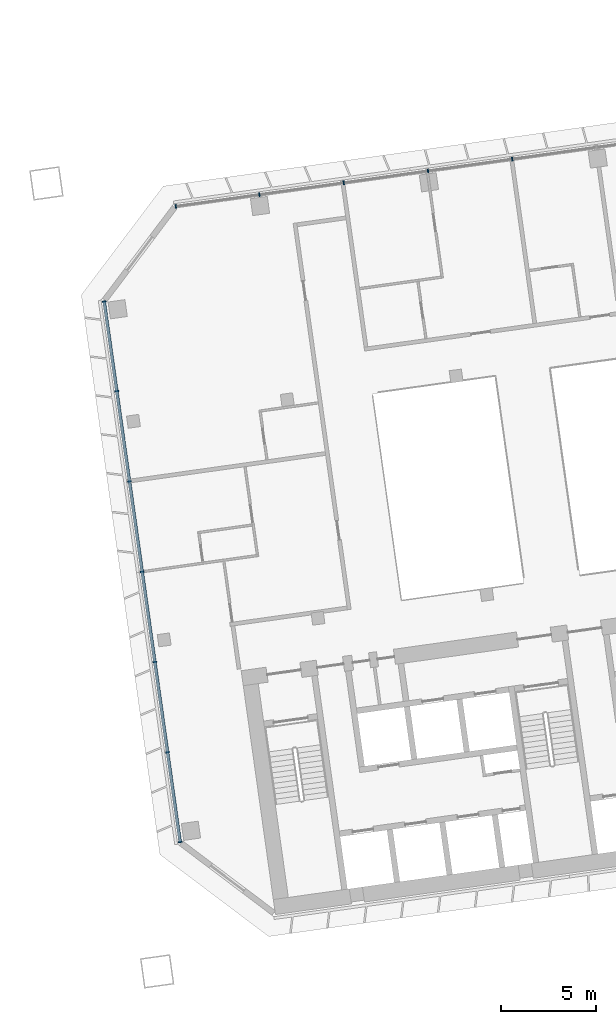
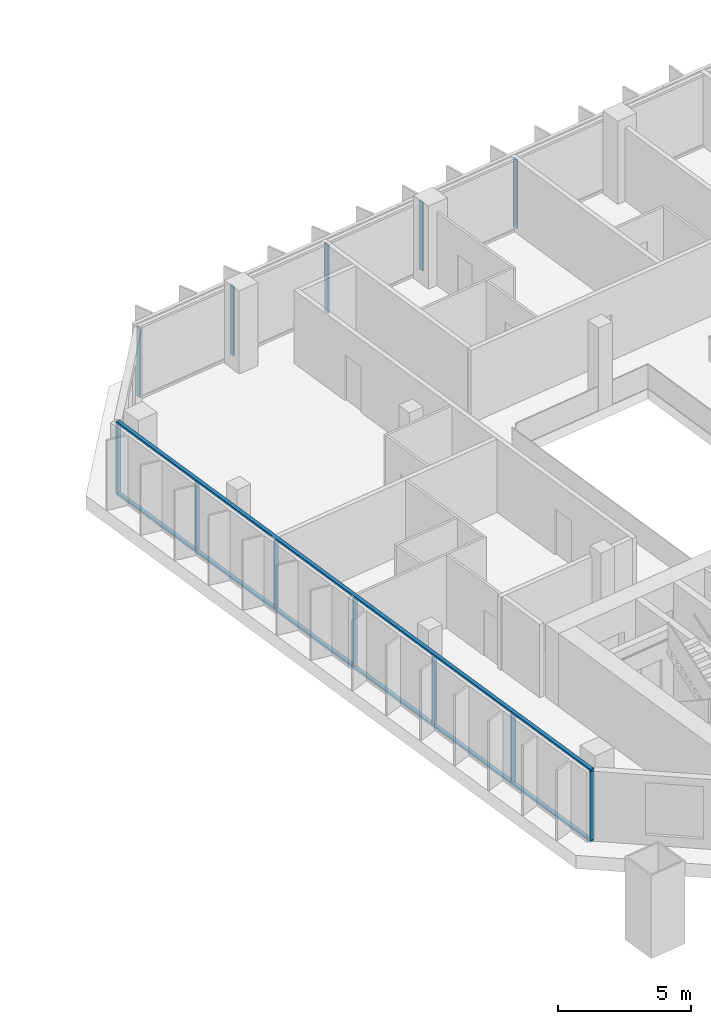
# One storey, part 7 of 25: 14 members, 2 elements without a shape of their own.
"""IFC4 building model written with IfcOpenShell, lengths in metres."""

from ifc_helpers import new_model, si_unit, direction, frame, origin, origin_2d, place, context, subcontext, project, spatial, rectangle, extrude, material, material_profile, profile_set, type_object, element, aggregate, save


model = new_model("IFC4")

# Units and contexts
model_context = context("Model", 3, precision=1e-05, world=origin(), true_north=direction((0.0, 1.0)))
body_context = subcontext(model_context, "Body", "Model", "MODEL_VIEW")
ifc_project = project(units=[si_unit("LENGTHUNIT", "METRE"), si_unit("AREAUNIT", "SQUARE_METRE"), si_unit("VOLUMEUNIT", "CUBIC_METRE"), si_unit("PLANEANGLEUNIT", "RADIAN"), si_unit("MASSUNIT", "GRAM", prefix="KILO")], contexts=[model_context])

# Site, building, storey
site_placement = place(None, origin())
site = spatial("IfcSite", under=ifc_project, at=site_placement, CompositionType="ELEMENT")
building_placement = place(site_placement, origin())
building = spatial("IfcBuilding", under=site, at=building_placement, Name="Mirante Cascada Hotel Towers", CompositionType="ELEMENT")
storey_placement = place(building_placement, frame((0.0, 0.0, 136.7)))
storey = spatial("IfcBuildingStorey", under=building, at=storey_placement, Name="L31", CompositionType="ELEMENT", Elevation=136.7)

# Curtain wall, members
ifc_material_1 = material(Name="Aluminium mullion and transom frame with clear laminated glass", Category="aluminium")
curtain_wall_type_1 = type_object("IfcCurtainWallType", Name="Ribbon curtain wall ECW1", PredefinedType="NOTDEFINED", material=ifc_material_1)
curtain_wall_1_placement = place(storey_placement, origin())
curtain_wall_1 = element("IfcCurtainWall", 1, at=curtain_wall_1_placement, inside=storey, type_object=curtain_wall_type_1, Name="Front ribbon wall T2 L31", PredefinedType="NOTDEFINED")
ifc_material_2 = material(Name="Anodised aluminium extrusion", Category="aluminium")
ifc_material_profile_1 = material_profile(ifc_material_2, rectangle(XDim=0.2, YDim=0.065, at=origin_2d()), Name="ECW1 MULLION 65x200")
ifc_profile_set_1 = profile_set([ifc_material_profile_1], Name="Anodised aluminium extrusion")
member_type_1 = type_object("IfcMemberType", Name="ECW1 mullion 65x200", PredefinedType="MULLION", material=ifc_profile_set_1)
member_1_placement = place(storey_placement, frame((49.684, 19.8017, 0.1), z_axis=(0.0, 0.0, 1.0), x_axis=(0.1391731, -0.9902681, 0.0)))
member_1 = element("IfcMember", 2, at=member_1_placement, type_object=member_type_1, Name="ECW1 mullion 11", PredefinedType="MULLION", context=body_context, shape_type="SweptSolid", body=[
    extrude(rectangle(XDim=0.2, YDim=0.065, at=origin_2d()), origin(), (0.0, 0.0, 1.0), 3.15),
])
member_2_placement = place(storey_placement, frame((45.2366, 19.1766, 0.1), z_axis=(0.0, 0.0, 1.0), x_axis=(0.1391731, -0.9902681, 0.0)))
member_2 = element("IfcMember", 3, at=member_2_placement, type_object=member_type_1, Name="ECW1 mullion 12", PredefinedType="MULLION", context=body_context, shape_type="SweptSolid", body=[
    extrude(rectangle(XDim=0.2, YDim=0.065, at=origin_2d()), origin(), (0.0, 0.0, 1.0), 3.15),
])
member_3_placement = place(storey_placement, frame((40.7892, 18.5516, 0.1), z_axis=(0.0, 0.0, 1.0), x_axis=(0.1391731, -0.9902681, 0.0)))
member_3 = element("IfcMember", 4, at=member_3_placement, type_object=member_type_1, Name="ECW1 mullion 13", PredefinedType="MULLION", context=body_context, shape_type="SweptSolid", body=[
    extrude(rectangle(XDim=0.2, YDim=0.065, at=origin_2d()), origin(), (0.0, 0.0, 1.0), 3.15),
])
member_4_placement = place(storey_placement, frame((36.3417, 17.9265, 0.1), z_axis=(0.0, 0.0, 1.0), x_axis=(0.1391731, -0.9902681, 0.0)))
member_4 = element("IfcMember", 5, at=member_4_placement, type_object=member_type_1, Name="ECW1 mullion 14", PredefinedType="MULLION", context=body_context, shape_type="SweptSolid", body=[
    extrude(rectangle(XDim=0.2, YDim=0.065, at=origin_2d()), origin(), (0.0, 0.0, 1.0), 3.15),
])
member_5_placement = place(storey_placement, frame((31.9265, 17.306, 0.1), z_axis=(0.0, 0.0, 1.0), x_axis=(0.1391731, -0.9902681, 0.0)))
member_5 = element("IfcMember", 6, at=member_5_placement, type_object=member_type_1, Name="ECW1 mullion 15", PredefinedType="MULLION", context=body_context, shape_type="SweptSolid", body=[
    extrude(rectangle(XDim=0.2, YDim=0.065, at=origin_2d()), origin(), (0.0, 0.0, 1.0), 3.15),
])
aggregate(curtain_wall_1, [member_1, member_2, member_3, member_4, member_5])

ifc_material_3 = material(Name="Aluminium mullion and transom frame with clear laminated glass", Category="aluminium")
curtain_wall_type_2 = type_object("IfcCurtainWallType", Name="End ribbon curtain wall ECW2", PredefinedType="NOTDEFINED", material=ifc_material_3)
curtain_wall_2_placement = place(storey_placement, origin())
curtain_wall_2 = element("IfcCurtainWall", 7, at=curtain_wall_2_placement, inside=storey, type_object=curtain_wall_type_2, Name="Inner end wall T2 L31", PredefinedType="NOTDEFINED")
ifc_material_4 = material(Name="Anodised aluminium extrusion", Category="aluminium")
ifc_material_profile_2 = material_profile(ifc_material_4, rectangle(XDim=0.2, YDim=0.065, at=origin_2d()), Name="ECW2 MULLION 65x200")
ifc_profile_set_2 = profile_set([ifc_material_profile_2], Name="Anodised aluminium extrusion")
member_type_2 = type_object("IfcMemberType", Name="ECW2 mullion 65x200", PredefinedType="MULLION", material=ifc_profile_set_2)
member_6_placement = place(storey_placement, frame((28.1437, 12.2861, 0.1), z_axis=(0.0, 0.0, 1.0), x_axis=(0.9902681, 0.1391731, 0.0)))
member_6 = element("IfcMember", 8, at=member_6_placement, type_object=member_type_2, Name="ECW2 mullion 1", PredefinedType="MULLION", context=body_context, shape_type="SweptSolid", body=[
    extrude(rectangle(XDim=0.2, YDim=0.065, at=origin_2d()), origin(), (0.0, 0.0, 1.0), 3.15),
])
member_7_placement = place(storey_placement, frame((28.809, 7.5524, 0.1), z_axis=(0.0, 0.0, 1.0), x_axis=(0.9902681, 0.1391731, 0.0)))
member_7 = element("IfcMember", 9, at=member_7_placement, type_object=member_type_2, Name="ECW2 mullion 2", PredefinedType="MULLION", context=body_context, shape_type="SweptSolid", body=[
    extrude(rectangle(XDim=0.2, YDim=0.065, at=origin_2d()), origin(), (0.0, 0.0, 1.0), 3.15),
])
member_8_placement = place(storey_placement, frame((29.4788, 2.7867, 0.1), z_axis=(0.0, 0.0, 1.0), x_axis=(0.9902681, 0.1391731, 0.0)))
member_8 = element("IfcMember", 10, at=member_8_placement, type_object=member_type_2, Name="ECW2 mullion 3", PredefinedType="MULLION", context=body_context, shape_type="SweptSolid", body=[
    extrude(rectangle(XDim=0.2, YDim=0.065, at=origin_2d()), origin(), (0.0, 0.0, 1.0), 3.15),
])
member_9_placement = place(storey_placement, frame((30.1485, -1.9791, 0.1), z_axis=(0.0, 0.0, 1.0), x_axis=(0.9902681, 0.1391731, 0.0)))
member_9 = element("IfcMember", 11, at=member_9_placement, type_object=member_type_2, Name="ECW2 mullion 4", PredefinedType="MULLION", context=body_context, shape_type="SweptSolid", body=[
    extrude(rectangle(XDim=0.2, YDim=0.065, at=origin_2d()), origin(), (0.0, 0.0, 1.0), 3.15),
])
member_10_placement = place(storey_placement, frame((30.8183, -6.7449, 0.1), z_axis=(0.0, 0.0, 1.0), x_axis=(0.9902681, 0.1391731, 0.0)))
member_10 = element("IfcMember", 12, at=member_10_placement, type_object=member_type_2, Name="ECW2 mullion 5", PredefinedType="MULLION", context=body_context, shape_type="SweptSolid", body=[
    extrude(rectangle(XDim=0.2, YDim=0.065, at=origin_2d()), origin(), (0.0, 0.0, 1.0), 3.15),
])
member_11_placement = place(storey_placement, frame((31.4881, -11.5107, 0.1), z_axis=(0.0, 0.0, 1.0), x_axis=(0.9902681, 0.1391731, 0.0)))
member_11 = element("IfcMember", 13, at=member_11_placement, type_object=member_type_2, Name="ECW2 mullion 6", PredefinedType="MULLION", context=body_context, shape_type="SweptSolid", body=[
    extrude(rectangle(XDim=0.2, YDim=0.065, at=origin_2d()), origin(), (0.0, 0.0, 1.0), 3.15),
])
member_12_placement = place(storey_placement, frame((32.1534, -16.2443, 0.1), z_axis=(0.0, 0.0, 1.0), x_axis=(0.9902681, 0.1391731, 0.0)))
member_12 = element("IfcMember", 14, at=member_12_placement, type_object=member_type_2, Name="ECW2 mullion 7", PredefinedType="MULLION", context=body_context, shape_type="SweptSolid", body=[
    extrude(rectangle(XDim=0.2, YDim=0.065, at=origin_2d()), origin(), (0.0, 0.0, 1.0), 3.15),
])
ifc_material_5 = material(Name="Anodised aluminium extrusion", Category="aluminium")
ifc_material_profile_3 = material_profile(ifc_material_5, rectangle(XDim=0.16, YDim=0.1, at=origin_2d()), Name="ECW2 TRANSOM 100x160")
ifc_profile_set_3 = profile_set([ifc_material_profile_3], Name="Anodised aluminium extrusion")
member_type_3 = type_object("IfcMemberType", Name="ECW2 transom 100x160", PredefinedType="USERDEFINED", material=ifc_profile_set_3)
member_13_placement = place(storey_placement, frame((28.1392, 12.3182, 0.05), z_axis=(0.1391723, -0.9902682, 0.0), x_axis=(0.9902682, 0.1391723, 0.0)))
member_13 = element("IfcMember", 15, at=member_13_placement, type_object=member_type_3, Name="ECW2 sill transom", ObjectType="TRANSOM", PredefinedType="USERDEFINED", context=body_context, shape_type="SweptSolid", body=[
    extrude(rectangle(XDim=0.16, YDim=0.1, at=origin_2d()), origin(), (0.0, 0.0, 1.0), 28.8757),
])
member_14_placement = place(storey_placement, frame((28.1392, 12.3182, 3.3), z_axis=(0.1391723, -0.9902682, 0.0), x_axis=(0.9902682, 0.1391723, 0.0)))
member_14 = element("IfcMember", 16, at=member_14_placement, type_object=member_type_3, Name="ECW2 head transom", ObjectType="TRANSOM", PredefinedType="USERDEFINED", context=body_context, shape_type="SweptSolid", body=[
    extrude(rectangle(XDim=0.16, YDim=0.1, at=origin_2d()), origin(), (0.0, 0.0, 1.0), 28.8757),
])
aggregate(curtain_wall_2, [member_13, member_14, member_6, member_7, member_8, member_9, member_10, member_11, member_12])

save(model, "model.ifc")
